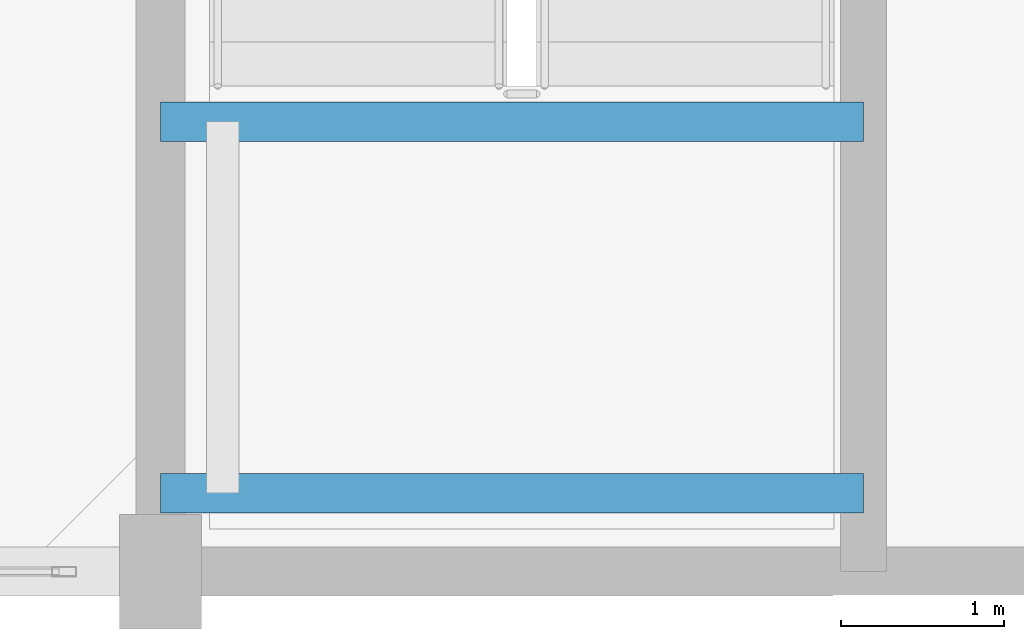
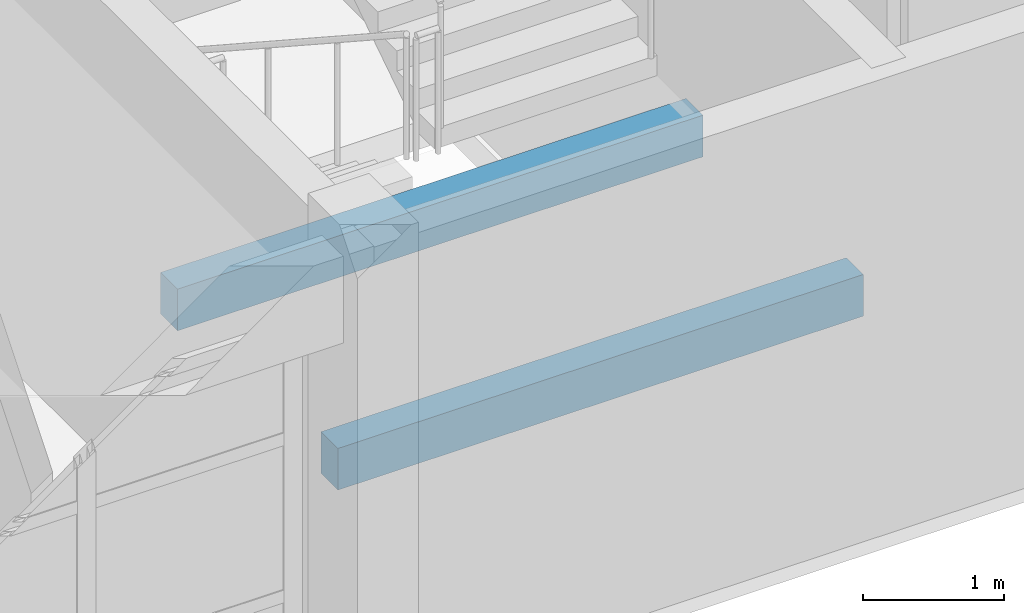
# One storey, part 3 of 18: 2 beams.
"""IFC4 building model written with IfcOpenShell, lengths in metres."""

import ifcopenshell
import ifcopenshell.guid

model = None  # the IFC model being written
_history = None  # IfcOwnerHistory: only IFC2X3 demands one
_inside = {}  # id of a spatial element -> (the spatial element, [elements in it])
_under = {}  # id of a project, library or spatial element -> (it, [spatial elements below it])
_declared = {}  # id of a project -> (the project, [libraries it declares])
_typed = {}  # id of a type object -> (the type object, [elements of that type])
_made_of = {}  # id of a material, layer set ... -> (it, [elements and type objects made of it])


def new_model(schema):
    """Start an empty IFC model of exactly this schema.

    Asked for "IFC4X3", IfcOpenShell would pick the latest addendum, in which some entities
    have other attributes; the version numbers below select the first issue.
    IFC2X3 requires an IfcOwnerHistory on every rooted entity: one is made here for all.
    """
    global model, _history
    if schema == "IFC4X3":
        model = ifcopenshell.file(schema_version=(4, 3, 0, 0))
    else:
        model = ifcopenshell.file(schema=schema)
    _inside.clear()
    _under.clear()
    _declared.clear()
    _typed.clear()
    _made_of.clear()
    _history = None
    if model.schema == "IFC2X3":
        org = make("IfcOrganization", Name="unknown")
        user = make(
            "IfcPersonAndOrganization",
            ThePerson=make("IfcPerson", FamilyName="unknown"),
            TheOrganization=org,
        )
        app = make(
            "IfcApplication",
            ApplicationDeveloper=org,
            Version="unknown",
            ApplicationFullName="unknown",
            ApplicationIdentifier="unknown",
        )
        _history = make(
            "IfcOwnerHistory",
            OwningUser=user,
            OwningApplication=app,
            ChangeAction="ADDED",
            CreationDate=0,
        )
    return model


def make(cls, **values):
    """One entity of the class cls with the attributes given. An attribute that is None is left unset."""
    return model.create_entity(
        cls, **{name: value for name, value in values.items() if value is not None}
    )


def rooted(cls, **values):
    """An entity with a GlobalId (a new one), such as an element, a storey or a relation."""
    return make(cls, GlobalId=ifcopenshell.guid.new(), OwnerHistory=_history, **values)


def si_unit(unit_type, name, prefix=None):
    """IfcSIUnit, for example si_unit("LENGTHUNIT", "METRE", prefix="MILLI")."""
    return make("IfcSIUnit", UnitType=unit_type, Prefix=prefix, Name=name)


def assignment(units):
    """IfcUnitAssignment: the units of a project."""
    return None if units is None else make("IfcUnitAssignment", Units=units)


def point(xyz):
    """IfcCartesianPoint."""
    return None if xyz is None else make("IfcCartesianPoint", Coordinates=xyz)


def direction(xyz):
    """IfcDirection."""
    return None if xyz is None else make("IfcDirection", DirectionRatios=xyz)


def frame(location, z_axis=None, x_axis=None):
    """IfcAxis2Placement3D, a coordinate frame: its origin and axes. An axis left out is left unset."""
    return make(
        "IfcAxis2Placement3D",
        Location=point(location),
        Axis=direction(z_axis),
        RefDirection=direction(x_axis),
    )


def frame_2d(location, x_axis=None):
    """IfcAxis2Placement2D, a coordinate frame in the plane: its origin and x axis."""
    return make(
        "IfcAxis2Placement2D", Location=point(location), RefDirection=direction(x_axis)
    )


def origin():
    """The frame at (0, 0, 0) with its axes left unset."""
    return frame((0.0, 0.0, 0.0))


def origin_2d():
    """The frame at (0, 0) in the plane with its x axis left unset."""
    return frame_2d((0.0, 0.0))


def place(relative_to, where):
    """IfcLocalPlacement: puts the frame where relative to a parent placement (None: the world)."""
    return make(
        "IfcLocalPlacement", PlacementRelTo=relative_to, RelativePlacement=where
    )


def context(
    kind, dimensions, precision=None, world=None, true_north=None, identifier=None
):
    """IfcGeometricRepresentationContext, for example the 3D "Model" context."""
    return make(
        "IfcGeometricRepresentationContext",
        ContextIdentifier=identifier,
        ContextType=kind,
        CoordinateSpaceDimension=dimensions,
        Precision=precision,
        WorldCoordinateSystem=world,
        TrueNorth=true_north,
    )


def subcontext(parent, identifier, kind, view, scale=None):
    """IfcGeometricRepresentationSubContext, for example "Body" below "Model"."""
    return make(
        "IfcGeometricRepresentationSubContext",
        ContextIdentifier=identifier,
        ContextType=kind,
        ParentContext=parent,
        TargetScale=scale,
        TargetView=view,
    )


def project(units=None, contexts=None):
    """IfcProject with its units and contexts."""
    return rooted(
        "IfcProject",
        Name="project",
        RepresentationContexts=contexts,
        UnitsInContext=assignment(units),
    )


def spatial(cls, under=None, at=None, **own):
    """A site, building, storey or space (cls), placed at a placement, below another one or the project."""
    s = rooted(cls, ObjectPlacement=at, **own)
    if under is not None:
        _under.setdefault(under.id(), (under, []))[1].append(s)
    return s


def profile(cls, at=None, kind="AREA", **sizes):
    """A parametric profile (cls). Its sizes go by their IFC names, for example OverallWidth=200.0."""
    return make(cls, ProfileType=kind, Position=at, **sizes)


def rectangle(**sizes):
    """IfcRectangleProfileDef."""
    return profile("IfcRectangleProfileDef", **sizes)


def extrude(swept, where, along, depth):
    """IfcExtrudedAreaSolid: the profile swept, set in the frame where, extruded along a direction by depth."""
    return make(
        "IfcExtrudedAreaSolid",
        SweptArea=swept,
        Position=where,
        ExtrudedDirection=direction(along),
        Depth=depth,
    )


def shape(context_of_items, identifier, shape_type, items):
    """IfcShapeRepresentation: the items that make up one representation, for example the "Body"."""
    return make(
        "IfcShapeRepresentation",
        ContextOfItems=context_of_items,
        RepresentationIdentifier=identifier,
        RepresentationType=shape_type,
        Items=items,
    )


def material(Name=None, Category=None):
    """IfcMaterial."""
    return make("IfcMaterial", Name=Name, Category=Category)


def material_profile(
    of_material, cross_section, Name=None, Category=None, Priority=None
):
    """IfcMaterialProfile: a cross section and its material."""
    return make(
        "IfcMaterialProfile",
        Name=Name,
        Material=of_material,
        Profile=cross_section,
        Priority=Priority,
        Category=Category,
    )


def profile_set(profiles, Name=None, composite=None):
    """IfcMaterialProfileSet."""
    return make(
        "IfcMaterialProfileSet",
        Name=Name,
        MaterialProfiles=profiles,
        CompositeProfile=composite,
    )


def made_of(thing, what):
    """Note that an element or type object is made of a material, layer set ...; save() writes the relation."""
    if what is not None:
        _made_of.setdefault(what.id(), (what, []))[1].append(thing)
    return thing


def type_object(cls, material=None, **own):
    """A type object (cls), such as IfcWallType, which elements share."""
    return made_of(rooted(cls, **own), material)


def element(
    cls,
    number,
    at=None,
    inside=None,
    cuts=None,
    type_object=None,
    material=None,
    context=None,
    identifier="Body",
    shape_type=None,
    held_by="IfcProductDefinitionShape",
    body=None,
    shapes=None,
    **own,
):
    """One element of the class cls, such as IfcWall. Its Tag is "e" and its number.

    at: its placement. inside: the storey or other place that contains it. cuts: it is an
    opening in that element (IfcRelVoidsElement). A single representation is given by context,
    identifier, shape_type and body (its items); several are given by shapes. held_by: the class
    of the entity that holds the representations. save() writes the other relations.
    """
    e = rooted(cls, Tag="e%d" % number, ObjectPlacement=at, **own)
    if body is not None:
        shapes = [shape(context, identifier, shape_type, body)]
    if shapes is not None:
        e.Representation = make(held_by, Representations=shapes)
    if inside is not None:
        _inside.setdefault(inside.id(), (inside, []))[1].append(e)
    if cuts is not None:
        rooted(
            "IfcRelVoidsElement", RelatingBuildingElement=cuts, RelatedOpeningElement=e
        )
    if type_object is not None:
        _typed.setdefault(type_object.id(), (type_object, []))[1].append(e)
    return made_of(e, material)


def aggregate(whole, parts):
    """IfcRelAggregates: a whole, such as a stair, and the parts it consists of."""
    return rooted("IfcRelAggregates", RelatingObject=whole, RelatedObjects=parts)


def save(model, path):
    """Write the relations noted so far, then the file.

    IfcRelAggregates (storeys below a building ...), IfcRelContainedInSpatialStructure (elements
    in a storey), IfcRelDefinesByType, IfcRelAssociatesMaterial and IfcRelDeclares: one each for
    every whole, place, type object, material and project.
    """
    for whole, parts in _under.values():
        aggregate(whole, parts)
    for where, things in _inside.values():
        rooted(
            "IfcRelContainedInSpatialStructure",
            RelatedElements=things,
            RelatingStructure=where,
        )
    for kind, things in _typed.values():
        rooted("IfcRelDefinesByType", RelatedObjects=things, RelatingType=kind)
    for what, things in _made_of.values():
        rooted("IfcRelAssociatesMaterial", RelatedObjects=things, RelatingMaterial=what)
    for by, libraries in _declared.values():
        rooted("IfcRelDeclares", RelatingContext=by, RelatedDefinitions=libraries)
    model.write(path)


model = new_model("IFC4")

# Units and contexts
model_context = context("Model", 3, precision=1e-05, world=origin(), true_north=direction((0.0, 1.0)))
body_context = subcontext(model_context, "Body", "Model", "MODEL_VIEW")
ifc_project = project(units=[si_unit("LENGTHUNIT", "METRE"), si_unit("AREAUNIT", "SQUARE_METRE"), si_unit("VOLUMEUNIT", "CUBIC_METRE"), si_unit("PLANEANGLEUNIT", "RADIAN"), si_unit("MASSUNIT", "GRAM", prefix="KILO")], contexts=[model_context])

# Site, building, storey
site_placement = place(None, origin())
site = spatial("IfcSite", under=ifc_project, at=site_placement, CompositionType="ELEMENT")
building_placement = place(site_placement, origin())
building = spatial("IfcBuilding", under=site, at=building_placement, Name="Canggui Botanical Conservatory", CompositionType="ELEMENT")
storey_placement = place(building_placement, frame((0.0, 0.0, 61.199951171875)))
storey = spatial("IfcBuildingStorey", under=building, at=storey_placement, Name="L15", CompositionType="ELEMENT", Elevation=61.199951171875)

# Beams
ifc_material = material(Name="Concrete C35", Category="concrete")
ifc_material_profile = material_profile(ifc_material, rectangle(XDim=0.239990234375, YDim=0.360107421875, at=origin_2d()), Name="RB 240x360")
ifc_profile_set = profile_set([ifc_material_profile], Name="Concrete C35")
beam_type = type_object("IfcBeamType", Name="BM-LIN01", PredefinedType="LINTEL", material=ifc_profile_set)
for number, where, z_axis, x_axis, name in (
    (1, (154.0, 42.47998046875, 1.719970703125), (1.0, 0.0, 0.0), (0.0, 1.0, 0.0), "ST-T1 Half-Landing Ledger Beam L15-1.1"),
    (2, (154.0, 44.75244140625, 1.719970703125), (1.0, 0.0, 0.0), (0.0, 1.0, 0.0), "ST-T1 Half-Landing Ledger Beam L15-1.2"),
):
    element("IfcBeam", number, at=place(storey_placement, frame(where, z_axis=z_axis, x_axis=x_axis)), inside=storey, type_object=beam_type, Name=name, PredefinedType="LINTEL", context=body_context, shape_type="SweptSolid", body=[
        extrude(rectangle(XDim=0.239990234375, YDim=0.360107421875, at=origin_2d()), origin(), (0.0, 0.0, 1.0), 4.300048828125),
    ])

save(model, "model.ifc")
